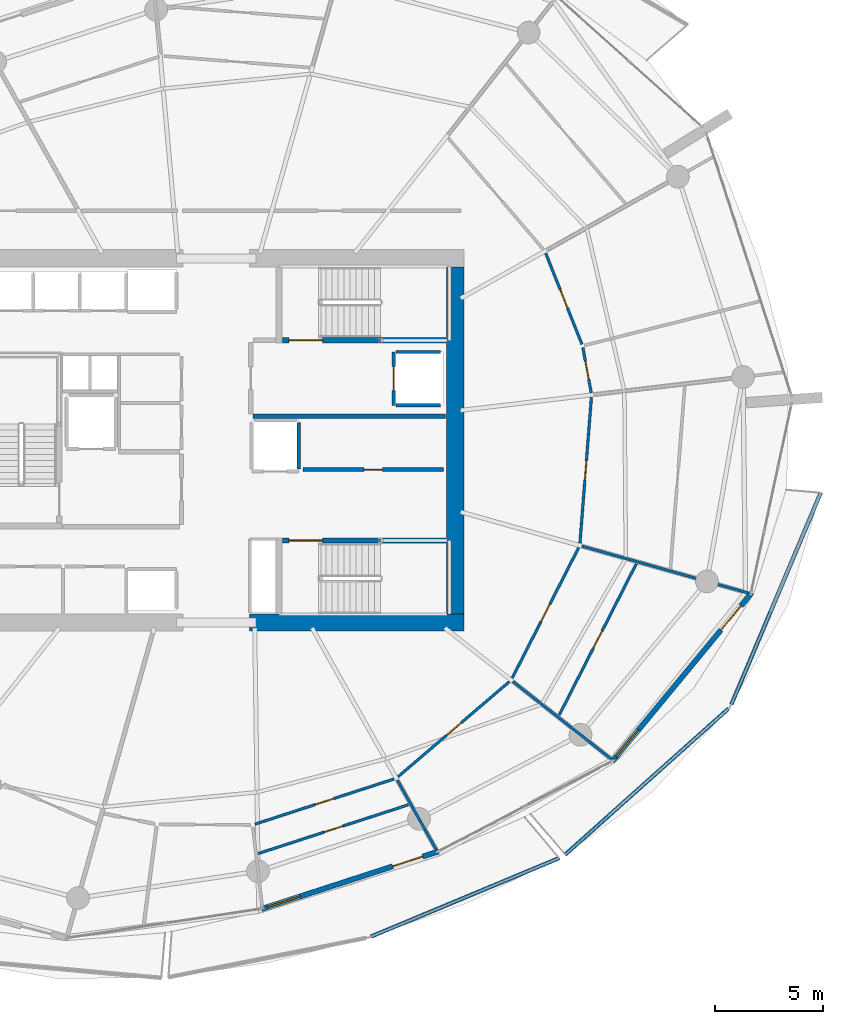
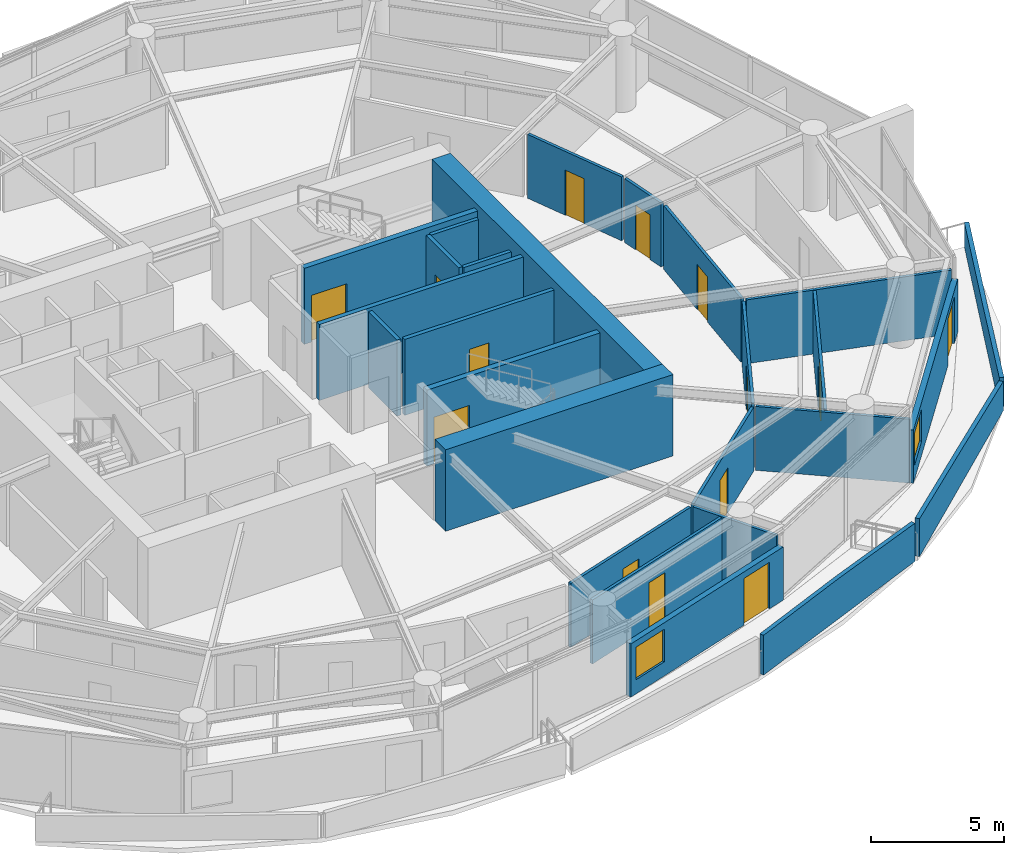
# One storey, part 13 of 20: 26 walls, 14 doors, 2 windows, 16 openings.
"""IFC4 building model written with IfcOpenShell, lengths in metres."""

from ifc_helpers import new_model, si_unit, direction, frame, frame_2d, origin, place, context, subcontext, project, spatial, polyline, rectangle, outline, extrude, material, layer, layer_set, type_object, element, fill, save


model = new_model("IFC4")

# Units and contexts
model_context = context("Model", 3, precision=1e-05, world=origin(), true_north=direction((0.0, 1.0)))
body_context = subcontext(model_context, "Body", "Model", "MODEL_VIEW")
ifc_project = project(units=[si_unit("LENGTHUNIT", "METRE"), si_unit("AREAUNIT", "SQUARE_METRE"), si_unit("VOLUMEUNIT", "CUBIC_METRE"), si_unit("PLANEANGLEUNIT", "RADIAN"), si_unit("MASSUNIT", "GRAM", prefix="KILO")], contexts=[model_context])

# Site, building, storey
site_placement = place(None, origin())
site = spatial("IfcSite", under=ifc_project, at=site_placement, CompositionType="ELEMENT")
building_placement = place(site_placement, origin())
building = spatial("IfcBuilding", under=site, at=building_placement, Name="Kazma Halo Residences", CompositionType="ELEMENT")
storey_placement = place(building_placement, frame((0.0, 0.0, 165.300048828125)))
storey = spatial("IfcBuildingStorey", under=building, at=storey_placement, Name="L41", CompositionType="ELEMENT", Elevation=165.300048828125)

# Walls
ifc_material_1 = material(Name="White Concrete C50/60 Balustrade", Category="concrete")
ifc_layer_1 = layer(ifc_material_1, 0.179931640625)
ifc_layer_set_1 = layer_set([ifc_layer_1], Name="White Concrete C50/60 Balustrade")
wall_type_1 = type_object("IfcWallType", Name="WL-BAL-WAVE-180", PredefinedType="PARAPET", material=ifc_layer_set_1)
wall_1_placement = place(storey_placement, frame((55.566650390625, 19.09912109375, 0.0), z_axis=(0.0, 0.0, 1.0), x_axis=(0.922918869306, 0.384994494349, 0.0)))
element("IfcWall", 1, at=wall_1_placement, inside=storey, type_object=wall_type_1, Name="L41 white wave balustrade wall SSE.2", PredefinedType="PARAPET", context=body_context, shape_type="SweptSolid", body=[
    extrude(outline(polyline([(0.0, 0.0), (9.4189453125, 0.0), (9.418701171875, 1.755859375), (4.70947265625, 1.85302734375), (0.0, 1.83203125), (0.0, 0.0)])), frame((0.0, 0.08984375, 0.0), z_axis=(0.0, -1.0, 0.0), x_axis=(1.0, 0.0, 0.0)), (0.0, 0.0, 1.0), 0.179931640625),
])
wall_2_placement = place(storey_placement, frame((64.52978515625, 22.8837890625, 0.0), z_axis=(0.0, 0.0, 1.0), x_axis=(0.745533944851, 0.666467656435, 0.0)))
element("IfcWall", 2, at=wall_2_placement, inside=storey, type_object=wall_type_1, Name="L41 white wave balustrade wall SE.1", PredefinedType="PARAPET", context=body_context, shape_type="SweptSolid", body=[
    extrude(outline(polyline([(0.0, 0.0), (10.10009765625, 0.0), (10.100341796875, 1.347900390625), (5.05029296875, 1.56201171875), (0.0, 1.7470703125), (0.0, 0.0)])), frame((0.0, 0.08984375, 0.0), z_axis=(0.0, -1.0, 0.0), x_axis=(1.0, 0.0, 0.0)), (0.0, 0.0, 1.0), 0.179931640625),
])
wall_3_placement = place(storey_placement, frame((72.196044921875, 29.805908203125, 0.0), z_axis=(0.0, 0.0, 1.0), x_axis=(0.388680391431, 0.921372646282, 0.0)))
element("IfcWall", 3, at=wall_3_placement, inside=storey, type_object=wall_type_1, Name="L41 white wave balustrade wall SE.2", PredefinedType="PARAPET", context=body_context, shape_type="SweptSolid", body=[
    extrude(outline(polyline([(0.0, 0.0), (10.6259765625, 0.0), (10.626220703125, 1.119873046875), (5.31298828125, 1.181884765625), (0.0, 1.347900390625), (0.0, 0.0)])), frame((0.0, 0.08984375, 0.0), z_axis=(0.0, -1.0, 0.0), x_axis=(1.0, 0.0, 0.0)), (0.0, 0.0, 1.0), 0.179931640625),
])
ifc_material_2 = material(Name="Concrete C80/95", Category="concrete")
ifc_layer_2 = layer(ifc_material_2, 0.800048828125)
ifc_layer_set_2 = layer_set([ifc_layer_2], Name="Concrete C80/95")
wall_type_2 = type_object("IfcWallType", Name="WL-CORE-800", PredefinedType="SHEAR", material=ifc_layer_set_2)
wall_4_placement = place(storey_placement, frame((49.949951171875, 33.60009765625, 0.0), z_axis=(0.0, 0.0, 1.0), x_axis=(1.0, 0.0, 0.0)))
element("IfcWall", 4, at=wall_4_placement, inside=storey, type_object=wall_type_2, Name="L41 central core shear wall SE", PredefinedType="SHEAR", context=body_context, shape_type="SweptSolid", body=[
    extrude(rectangle(XDim=9.900146484375, YDim=0.800048828125, at=frame_2d((4.9501953125, 0.0))), origin(), (0.0, 0.0, 1.0), 3.75),
])
wall_5_placement = place(storey_placement, frame((59.449951171875, 34.0, 0.0), z_axis=(0.0, 0.0, 1.0), x_axis=(0.0, 1.0, 0.0)))
element("IfcWall", 5, at=wall_5_placement, inside=storey, type_object=wall_type_2, Name="L41 central core shear wall E", PredefinedType="SHEAR", context=body_context, shape_type="SweptSolid", body=[
    extrude(rectangle(XDim=16.0, YDim=0.800048828125, at=frame_2d((8.0, 0.0))), origin(), (0.0, 0.0, 1.0), 3.75),
])

# Wall, openings, door, window
ifc_material_3 = material(Name="Insulated Pale-Metal Composite Wall")
ifc_layer_3 = layer(ifc_material_3, 0.239990234375)
ifc_layer_set_3 = layer_set([ifc_layer_3], Name="Insulated Pale-Metal Composite Wall")
wall_type_3 = type_object("IfcWallType", Name="WL-EXT-HOST-240", PredefinedType="SOLIDWALL", material=ifc_layer_set_3)
wall_6_placement = place(storey_placement, frame((50.510009765625, 20.375732421875, 0.0), z_axis=(0.0, 0.0, 1.0), x_axis=(0.951046390632, 0.309048156224, 0.0)))
wall_6 = element("IfcWall", 6, at=wall_6_placement, inside=storey, type_object=wall_type_3, Name="L41 exterior terrace-access wall B12", PredefinedType="SOLIDWALL", context=body_context, shape_type="SweptSolid", body=[
    extrude(rectangle(XDim=8.590087890625, YDim=0.239990234375, at=frame_2d((4.294921875, 0.0))), origin(), (0.0, 0.0, 1.0), 2.449951171875),
])
opening_1_placement = place(wall_6_placement, frame((6.370361328125, 0.0, 0.0)))
opening_1 = element("IfcOpeningElement", 7, at=opening_1_placement, cuts=wall_6, Name="Opening DTR-1600", PredefinedType="OPENING", context=body_context, shape_type="SweptSolid", body=[
    extrude(rectangle(XDim=1.449951171875, YDim=2.14990234375, at=frame_2d((0.72509765625, 1.074951171875))), frame((0.0, 0.1298828125, 0.0), z_axis=(0.0, -1.0, 0.0), x_axis=(1.0, 0.0, 0.0)), (0.0, 0.0, 1.0), 0.260009765625),
])
opening_2_placement = place(wall_6_placement, frame((0.280029296875, 0.0, 0.64990234375)))
opening_2 = element("IfcOpeningElement", 8, at=opening_2_placement, cuts=wall_6, Name="Opening W-1800", PredefinedType="OPENING", context=body_context, shape_type="SweptSolid", body=[
    extrude(rectangle(XDim=1.60009765625, YDim=1.5, at=frame_2d((0.800048828125, 0.75))), frame((0.0, 0.1298828125, 0.0), z_axis=(0.0, -1.0, 0.0), x_axis=(1.0, 0.0, 0.0)), (0.0, 0.0, 1.0), 0.260009765625),
])
ifc_material_4 = material(Name="Aluminium AW-6063 T6 Double-Glazed Terrace Door", Category="aluminium")
door_type_1 = type_object("IfcDoorType", Name="DR-EXT-TERR-1600", OperationType="NOTDEFINED", PredefinedType="DOOR", material=ifc_material_4)
door_1_placement = place(opening_1_placement, origin())
door_1 = element("IfcDoor", 9, at=door_1_placement, inside=storey, type_object=door_type_1, Name="L41 B12 balcony terrace door", OperationType="DOUBLE_DOOR_SLIDING", OverallHeight=2.14990234375, OverallWidth=1.449951171875, PredefinedType="DOOR", context=body_context, shape_type="SweptSolid", body=[
    extrude(rectangle(XDim=1.449951171875, YDim=2.14990234375, at=frame_2d((0.72509765625, 1.074951171875))), frame((0.0, 0.02490234375, 0.0), z_axis=(0.0, -1.0, 0.0), x_axis=(1.0, 0.0, 0.0)), (0.0, 0.0, 1.0), 0.050048828125),
])
fill(opening_1, door_1)
ifc_material_5 = material(Name="Clear Triple-Silver Low-E Glass in Aluminium AW-6063 T6 Frame", Category="aluminium")
window_type = type_object("IfcWindowType", Name="WIN-RES-1800", PartitioningType="DOUBLE_PANEL_VERTICAL", PredefinedType="WINDOW", material=ifc_material_5)
window_1_placement = place(opening_2_placement, origin())
window_1 = element("IfcWindow", 10, at=window_1_placement, inside=storey, type_object=window_type, Name="L41 B12 apartment window", OverallHeight=1.5, OverallWidth=1.60009765625, PartitioningType="SINGLE_PANEL", PredefinedType="WINDOW", context=body_context, shape_type="SweptSolid", body=[
    extrude(rectangle(XDim=1.60009765625, YDim=1.5, at=frame_2d((0.800048828125, 0.75))), frame((0.0, 0.030029296875, 0.0), z_axis=(0.0, -1.0, 0.0), x_axis=(1.0, 0.0, 0.0)), (0.0, 0.0, 1.0), 0.06005859375),
])
fill(opening_2, window_1)

wall_7_placement = place(storey_placement, frame((66.70947265625, 27.18701171875, 0.0), z_axis=(0.0, 0.0, 1.0), x_axis=(0.636771922292, 0.77105221547, 0.0)))
wall_7 = element("IfcWall", 11, at=wall_7_placement, inside=storey, type_object=wall_type_3, Name="L41 exterior terrace-access wall B14", PredefinedType="SOLIDWALL", context=body_context, shape_type="SweptSolid", body=[
    extrude(rectangle(XDim=10.08154296875, YDim=0.239990234375, at=frame_2d((5.040771484375, 0.0))), origin(), (0.0, 0.0, 1.0), 2.449951171875),
])
opening_3_placement = place(wall_7_placement, frame((7.861572265625, 0.0, 0.0)))
opening_3 = element("IfcOpeningElement", 12, at=opening_3_placement, cuts=wall_7, Name="Opening DTR-1600", PredefinedType="OPENING", context=body_context, shape_type="SweptSolid", body=[
    extrude(rectangle(XDim=1.449951171875, YDim=2.14990234375, at=frame_2d((0.72509765625, 1.074951171875))), frame((0.0, 0.1298828125, 0.0), z_axis=(0.0, -1.0, 0.0), x_axis=(1.0, 0.0, 0.0)), (0.0, 0.0, 1.0), 0.260009765625),
])
opening_4_placement = place(wall_7_placement, frame((0.280029296875, 0.0, 0.64990234375)))
opening_4 = element("IfcOpeningElement", 13, at=opening_4_placement, cuts=wall_7, Name="Opening W-1800", PredefinedType="OPENING", context=body_context, shape_type="SweptSolid", body=[
    extrude(rectangle(XDim=1.60009765625, YDim=1.5, at=frame_2d((0.800048828125, 0.75))), frame((0.0, 0.1298828125, 0.0), z_axis=(0.0, -1.0, 0.0), x_axis=(1.0, 0.0, 0.0)), (0.0, 0.0, 1.0), 0.260009765625),
])
door_2_placement = place(opening_3_placement, origin())
door_2 = element("IfcDoor", 14, at=door_2_placement, inside=storey, type_object=door_type_1, Name="L41 B14 balcony terrace door", OperationType="DOUBLE_DOOR_SLIDING", OverallHeight=2.14990234375, OverallWidth=1.449951171875, PredefinedType="DOOR", context=body_context, shape_type="SweptSolid", body=[
    extrude(rectangle(XDim=1.449951171875, YDim=2.14990234375, at=frame_2d((0.72509765625, 1.074951171875))), frame((0.0, 0.02490234375, 0.0), z_axis=(0.0, -1.0, 0.0), x_axis=(1.0, 0.0, 0.0)), (0.0, 0.0, 1.0), 0.050048828125),
])
fill(opening_3, door_2)
window_2_placement = place(opening_4_placement, origin())
window_2 = element("IfcWindow", 15, at=window_2_placement, inside=storey, type_object=window_type, Name="L41 B14 apartment window", OverallHeight=1.5, OverallWidth=1.60009765625, PartitioningType="SINGLE_PANEL", PredefinedType="WINDOW", context=body_context, shape_type="SweptSolid", body=[
    extrude(rectangle(XDim=1.60009765625, YDim=1.5, at=frame_2d((0.800048828125, 0.75))), frame((0.0, 0.030029296875, 0.0), z_axis=(0.0, -1.0, 0.0), x_axis=(1.0, 0.0, 0.0)), (0.0, 0.0, 1.0), 0.06005859375),
])
fill(opening_4, window_2)

# Wall, opening, door
ifc_material_6 = material(Name="Fire-Rated Blockwork Masonry", Category="masonry")
ifc_layer_4 = layer(ifc_material_6, 0.199951171875)
ifc_layer_set_4 = layer_set([ifc_layer_4], Name="Fire-Rated Blockwork Masonry")
wall_type_4 = type_object("IfcWallType", Name="WL-FLB-200", PredefinedType="PARTITIONING", material=ifc_layer_set_4)
wall_8_placement = place(storey_placement, frame((56.6201171875, 46.080078125, 0.0), z_axis=(0.0, 0.0, 1.0), x_axis=(0.0, -1.0, 0.0)))
wall_8 = element("IfcWall", 16, at=wall_8_placement, inside=storey, type_object=wall_type_4, Name="L41 lift shaft FL-02 front wall", PredefinedType="PARTITIONING", context=body_context, shape_type="SweptSolid", body=[
    extrude(rectangle(XDim=2.4599609375, YDim=0.159912109375, at=frame_2d((1.22998046875, 0.0))), origin(), (0.0, 0.0, 1.0), 3.5),
])
opening_5_placement = place(wall_8_placement, frame((0.679931640625, 0.0, 0.0)))
opening_5 = element("IfcOpeningElement", 17, at=opening_5_placement, cuts=wall_8, Name="Opening LD-FL-02", PredefinedType="OPENING", context=body_context, shape_type="SweptSolid", body=[
    extrude(rectangle(XDim=1.10009765625, YDim=2.10009765625, at=frame_2d((0.550048828125, 1.050048828125))), frame((0.0, 0.08984375, 0.0), z_axis=(0.0, -1.0, 0.0), x_axis=(1.0, 0.0, 0.0)), (0.0, 0.0, 1.0), 0.179931640625),
])
ifc_material_7 = material(Name="Stainless Steel Fire-Rated", Category="steel")
door_type_2 = type_object("IfcDoorType", Name="DR-LIFT-SLD-1100", OperationType="DOUBLE_DOOR_SLIDING", PredefinedType="DOOR", material=ifc_material_7)
door_3_placement = place(opening_5_placement, origin())
door_3 = element("IfcDoor", 18, at=door_3_placement, inside=storey, type_object=door_type_2, Name="L41 lift FL-02 sliding landing door", OperationType="DOUBLE_DOOR_SLIDING", OverallHeight=2.10009765625, OverallWidth=1.10009765625, PredefinedType="DOOR", context=body_context, shape_type="SweptSolid", body=[
    extrude(rectangle(XDim=1.10009765625, YDim=2.10009765625, at=frame_2d((0.550048828125, 1.050048828125))), frame((0.0, 0.02490234375, 0.0), z_axis=(0.0, -1.0, 0.0), x_axis=(1.0, 0.0, 0.0)), (0.0, 0.0, 1.0), 0.050048828125),
])
fill(opening_5, door_3)

# Walls
for number, where, z_axis, x_axis, name in (
    (19, (56.719970703125, 46.080078125, 0.0), (0.0, 0.0, 1.0), (1.0, 0.0, 0.0), "L41 lift shaft FL-02 side wall N"),
    (20, (56.719970703125, 43.6201171875, 0.0), (0.0, 0.0, 1.0), (1.0, 0.0, 0.0), "L41 lift shaft FL-02 side wall S"),
):
    element("IfcWall", number, at=place(storey_placement, frame(where, z_axis=z_axis, x_axis=x_axis)), inside=storey, type_object=wall_type_4, Name=name, PredefinedType="PARTITIONING", context=body_context, shape_type="SweptSolid", body=[
        extrude(rectangle(XDim=2.06005859375, YDim=0.159912109375, at=frame_2d((1.030029296875, 0.0))), origin(), (0.0, 0.0, 1.0), 3.5),
    ])
wall_9_placement = place(storey_placement, frame((52.22998046875, 40.669921875, 0.0), z_axis=(0.0, 0.0, 1.0), x_axis=(0.0, 1.0, 0.0)))
element("IfcWall", 21, at=wall_9_placement, inside=storey, type_object=wall_type_4, Name="L41 lift shaft SV-01 side wall E", PredefinedType="PARTITIONING", context=body_context, shape_type="SweptSolid", body=[
    extrude(rectangle(XDim=2.16015625, YDim=0.159912109375, at=frame_2d((1.080078125, 0.0))), origin(), (0.0, 0.0, 1.0), 3.5),
])

# Wall, opening, door
wall_10_placement = place(storey_placement, frame((52.419921875, 40.64990234375, 0.0), z_axis=(0.0, 0.0, 1.0), x_axis=(1.0, 0.0, 0.0)))
wall_10 = element("IfcWall", 22, at=wall_10_placement, inside=storey, type_object=wall_type_4, Name="L41 core east reserve wall", PredefinedType="PARTITIONING", context=body_context, shape_type="SweptSolid", body=[
    extrude(rectangle(XDim=6.5, YDim=0.179931640625, at=frame_2d((3.25, 0.0))), origin(), (0.0, 0.0, 1.0), 3.5),
])
opening_6_placement = place(wall_10_placement, frame((2.824951171875, 0.0, 0.0)))
opening_6 = element("IfcOpeningElement", 23, at=opening_6_placement, cuts=wall_10, Name="Opening DS-850", PredefinedType="OPENING", context=body_context, shape_type="SweptSolid", body=[
    extrude(rectangle(XDim=0.85009765625, YDim=2.06005859375, at=frame_2d((0.425048828125, 1.030029296875))), frame((0.0, 0.099853515625, 0.0), z_axis=(0.0, -1.0, 0.0), x_axis=(1.0, 0.0, 0.0)), (0.0, 0.0, 1.0), 0.199951171875),
])
ifc_material_8 = material(Name="Painted Steel Access Leaf", Category="steel")
door_type_3 = type_object("IfcDoorType", Name="DR-SVC-850", OperationType="NOTDEFINED", PredefinedType="DOOR", material=ifc_material_8)
door_4_placement = place(opening_6_placement, origin())
door_4 = element("IfcDoor", 24, at=door_4_placement, inside=storey, type_object=door_type_3, Name="L41 core east reserve door", OperationType="SINGLE_SWING_RIGHT", OverallHeight=2.06005859375, OverallWidth=0.85009765625, PredefinedType="DOOR", context=body_context, shape_type="SweptSolid", body=[
    extrude(rectangle(XDim=0.85009765625, YDim=2.06005859375, at=frame_2d((0.425048828125, 1.030029296875))), frame((0.0, 0.02490234375, 0.0), z_axis=(0.0, -1.0, 0.0), x_axis=(1.0, 0.0, 0.0)), (0.0, 0.0, 1.0), 0.050048828125),
])
fill(opening_6, door_4)

# Wall
wall_11_placement = place(storey_placement, frame((50.1201171875, 43.1201171875, 0.0), z_axis=(0.0, 0.0, 1.0), x_axis=(1.0, 0.0, 0.0)))
element("IfcWall", 25, at=wall_11_placement, inside=storey, type_object=wall_type_4, Name="L41 east firefighting lobby south smoke wall", PredefinedType="PARTITIONING", context=body_context, shape_type="SweptSolid", body=[
    extrude(rectangle(XDim=8.8798828125, YDim=0.199951171875, at=frame_2d((4.43994140625, 0.0))), origin(), (0.0, 0.0, 1.0), 3.5),
])

# Wall, opening, door
ifc_material_9 = material(Name="Gypsum Plasterboard Partition")
ifc_layer_5 = layer(ifc_material_9, 0.125)
ifc_layer_set_5 = layer_set([ifc_layer_5], Name="Gypsum Plasterboard Partition")
wall_type_5 = type_object("IfcWallType", Name="WL-PART-125", PredefinedType="PARTITIONING", material=ifc_layer_set_5)
wall_12_placement = place(storey_placement, frame((50.205078125, 24.287841796875, 0.0), z_axis=(0.0, 0.0, 1.0), x_axis=(0.951056650279, 0.309016582016, 0.0)))
wall_12 = element("IfcWall", 26, at=wall_12_placement, inside=storey, type_object=wall_type_5, Name="L41 Apartment 2 East Study hall wall", PredefinedType="PARTITIONING", context=body_context, shape_type="SweptSolid", body=[
    extrude(rectangle(XDim=6.752685546875, YDim=0.125, at=frame_2d((3.37646484375, 0.0))), origin(), (0.0, 0.0, 1.0), 2.93994140625),
])
opening_7_placement = place(wall_12_placement, frame((2.92626953125, 0.0, 0.0)))
opening_7 = element("IfcOpeningElement", 27, at=opening_7_placement, cuts=wall_12, Name="Opening DI-950", PredefinedType="OPENING", context=body_context, shape_type="SweptSolid", body=[
    extrude(rectangle(XDim=0.89990234375, YDim=2.080078125, at=frame_2d((0.449951171875, 1.0400390625))), frame((0.0, 0.072509765625, 0.0), z_axis=(0.0, -1.0, 0.0), x_axis=(1.0, 0.0, 0.0)), (0.0, 0.0, 1.0), 0.14501953125),
])
ifc_material_10 = material(Name="Timber Veneer Flush Leaf", Category="wood")
door_type_4 = type_object("IfcDoorType", Name="DR-INT-950", OperationType="NOTDEFINED", PredefinedType="DOOR", material=ifc_material_10)
door_5_placement = place(opening_7_placement, origin())
door_5 = element("IfcDoor", 28, at=door_5_placement, inside=storey, type_object=door_type_4, Name="L41 Apartment 2 East Study door", OperationType="SINGLE_SWING_LEFT", OverallHeight=2.080078125, OverallWidth=0.89990234375, PredefinedType="DOOR", context=body_context, shape_type="SweptSolid", body=[
    extrude(rectangle(XDim=0.89990234375, YDim=2.080078125, at=frame_2d((0.449951171875, 1.0400390625))), frame((0.0, 0.02490234375, 0.0), z_axis=(0.0, -1.0, 0.0), x_axis=(1.0, 0.0, 0.0)), (0.0, 0.0, 1.0), 0.050048828125),
])
fill(opening_7, door_5)

wall_13_placement = place(storey_placement, frame((50.365234375, 22.934326171875, 0.0), z_axis=(0.0, 0.0, 1.0), x_axis=(0.951058941496, 0.309009530274, 0.0)))
wall_13 = element("IfcWall", 29, at=wall_13_placement, inside=storey, type_object=wall_type_5, Name="L41 Apartment 2 West Bedroom divider wall", PredefinedType="PARTITIONING", context=body_context, shape_type="SweptSolid", body=[
    extrude(rectangle(XDim=7.284423828125, YDim=0.125, at=frame_2d((3.64208984375, 0.0))), origin(), (0.0, 0.0, 1.0), 2.93994140625),
])
opening_8_placement = place(wall_13_placement, frame((3.192138671875, 0.0, 0.0)))
opening_8 = element("IfcOpeningElement", 30, at=opening_8_placement, cuts=wall_13, Name="Opening DI-950", PredefinedType="OPENING", context=body_context, shape_type="SweptSolid", body=[
    extrude(rectangle(XDim=0.89990234375, YDim=2.080078125, at=frame_2d((0.449951171875, 1.0400390625))), frame((0.0, 0.072509765625, 0.0), z_axis=(0.0, -1.0, 0.0), x_axis=(1.0, 0.0, 0.0)), (0.0, 0.0, 1.0), 0.14501953125),
])
door_6_placement = place(opening_8_placement, origin())
door_6 = element("IfcDoor", 31, at=door_6_placement, inside=storey, type_object=door_type_4, Name="L41 Apartment 2 West Bedroom door", OperationType="SINGLE_SWING_RIGHT", OverallHeight=2.080078125, OverallWidth=0.89990234375, PredefinedType="DOOR", context=body_context, shape_type="SweptSolid", body=[
    extrude(rectangle(XDim=0.89990234375, YDim=2.080078125, at=frame_2d((0.449951171875, 1.0400390625))), frame((0.0, 0.02490234375, 0.0), z_axis=(0.0, -1.0, 0.0), x_axis=(1.0, 0.0, 0.0)), (0.0, 0.0, 1.0), 0.050048828125),
])
fill(opening_8, door_6)

# Wall
wall_14_placement = place(storey_placement, frame((56.780517578125, 26.3212890625, 0.0), z_axis=(0.0, 0.0, 1.0), x_axis=(0.488615541235, -0.872499199348, 0.0)))
element("IfcWall", 32, at=wall_14_placement, inside=storey, type_object=wall_type_5, Name="L41 Apartment 2 radial partition 12", PredefinedType="PARTITIONING", context=body_context, shape_type="SweptSolid", body=[
    extrude(rectangle(XDim=3.66455078125, YDim=0.125, at=frame_2d((1.832275390625, 0.0))), origin(), (0.0, 0.0, 1.0), 2.93994140625),
])

# Wall, opening, door
wall_15_placement = place(storey_placement, frame((56.815185546875, 26.47998046875, 0.0), z_axis=(0.0, 0.0, 1.0), x_axis=(0.760406411553, 0.649447526186, 0.0)))
wall_15 = element("IfcWall", 33, at=wall_15_placement, inside=storey, type_object=wall_type_5, Name="L41 Apartment 2 North Formal Dining Room gallery wall", PredefinedType="PARTITIONING", context=body_context, shape_type="SweptSolid", body=[
    extrude(rectangle(XDim=6.752685546875, YDim=0.125, at=frame_2d((3.37646484375, 0.0))), origin(), (0.0, 0.0, 1.0), 2.93994140625),
])
opening_9_placement = place(wall_15_placement, frame((2.92626953125, 0.0, 0.0)))
opening_9 = element("IfcOpeningElement", 34, at=opening_9_placement, cuts=wall_15, Name="Opening DI-950", PredefinedType="OPENING", context=body_context, shape_type="SweptSolid", body=[
    extrude(rectangle(XDim=0.89990234375, YDim=2.080078125, at=frame_2d((0.449951171875, 1.0400390625))), frame((0.0, 0.072509765625, 0.0), z_axis=(0.0, -1.0, 0.0), x_axis=(1.0, 0.0, 0.0)), (0.0, 0.0, 1.0), 0.14501953125),
])
door_7_placement = place(opening_9_placement, origin())
door_7 = element("IfcDoor", 35, at=door_7_placement, inside=storey, type_object=door_type_4, Name="L41 Apartment 2 North Formal Dining Room door", OperationType="SINGLE_SWING_RIGHT", OverallHeight=2.080078125, OverallWidth=0.89990234375, PredefinedType="DOOR", context=body_context, shape_type="SweptSolid", body=[
    extrude(rectangle(XDim=0.89990234375, YDim=2.080078125, at=frame_2d((0.449951171875, 1.0400390625))), frame((0.0, 0.02490234375, 0.0), z_axis=(0.0, -1.0, 0.0), x_axis=(1.0, 0.0, 0.0)), (0.0, 0.0, 1.0), 0.050048828125),
])
fill(opening_9, door_7)

# Wall
wall_16_placement = place(storey_placement, frame((62.112060546875, 30.875, 0.0), z_axis=(0.0, 0.0, 1.0), x_axis=(0.785328664081, -0.619079065526, 0.0)))
element("IfcWall", 36, at=wall_16_placement, inside=storey, type_object=wall_type_5, Name="L41 Apartment 2 radial partition 13", PredefinedType="PARTITIONING", context=body_context, shape_type="SweptSolid", body=[
    extrude(rectangle(XDim=5.86962890625, YDim=0.125, at=frame_2d((2.934814453125, 0.0))), origin(), (0.0, 0.0, 1.0), 2.93994140625),
])

# Wall, opening, door
wall_17_placement = place(storey_placement, frame((62.08349609375, 31.034912109375, 0.0), z_axis=(0.0, 0.0, 1.0), x_axis=(0.453997813939, 0.89100279738, 0.0)))
wall_17 = element("IfcWall", 37, at=wall_17_placement, inside=storey, type_object=wall_type_5, Name="L41 Apartment 2 South Study hall wall", PredefinedType="PARTITIONING", context=body_context, shape_type="SweptSolid", body=[
    extrude(rectangle(XDim=6.752685546875, YDim=0.125, at=frame_2d((3.37646484375, 0.0))), origin(), (0.0, 0.0, 1.0), 2.93994140625),
])
opening_10_placement = place(wall_17_placement, frame((2.92626953125, 0.0, 0.0)))
opening_10 = element("IfcOpeningElement", 38, at=opening_10_placement, cuts=wall_17, Name="Opening DI-950", PredefinedType="OPENING", context=body_context, shape_type="SweptSolid", body=[
    extrude(rectangle(XDim=0.89990234375, YDim=2.080078125, at=frame_2d((0.449951171875, 1.0400390625))), frame((0.0, 0.072509765625, 0.0), z_axis=(0.0, -1.0, 0.0), x_axis=(1.0, 0.0, 0.0)), (0.0, 0.0, 1.0), 0.14501953125),
])
door_8_placement = place(opening_10_placement, origin())
door_8 = element("IfcDoor", 39, at=door_8_placement, inside=storey, type_object=door_type_4, Name="L41 Apartment 2 South Study door", OperationType="SINGLE_SWING_LEFT", OverallHeight=2.080078125, OverallWidth=0.89990234375, PredefinedType="DOOR", context=body_context, shape_type="SweptSolid", body=[
    extrude(rectangle(XDim=0.89990234375, YDim=2.080078125, at=frame_2d((0.449951171875, 1.0400390625))), frame((0.0, 0.02490234375, 0.0), z_axis=(0.0, -1.0, 0.0), x_axis=(1.0, 0.0, 0.0)), (0.0, 0.0, 1.0), 0.050048828125),
])
fill(opening_10, door_8)

wall_18_placement = place(storey_placement, frame((64.252685546875, 29.324951171875, 0.0), z_axis=(0.0, 0.0, 1.0), x_axis=(0.454010321108, 0.890996424419, 0.0)))
wall_18 = element("IfcWall", 40, at=wall_18_placement, inside=storey, type_object=wall_type_5, Name="L41 Apartment 2 Inner Master Bedroom divider wall", PredefinedType="PARTITIONING", context=body_context, shape_type="SweptSolid", body=[
    extrude(rectangle(XDim=7.830078125, YDim=0.125, at=frame_2d((3.9150390625, 0.0))), origin(), (0.0, 0.0, 1.0), 2.93994140625),
])
opening_11_placement = place(wall_18_placement, frame((3.465087890625, 0.0, 0.0)))
opening_11 = element("IfcOpeningElement", 41, at=opening_11_placement, cuts=wall_18, Name="Opening DI-950", PredefinedType="OPENING", context=body_context, shape_type="SweptSolid", body=[
    extrude(rectangle(XDim=0.89990234375, YDim=2.080078125, at=frame_2d((0.449951171875, 1.0400390625))), frame((0.0, 0.072509765625, 0.0), z_axis=(0.0, -1.0, 0.0), x_axis=(1.0, 0.0, 0.0)), (0.0, 0.0, 1.0), 0.14501953125),
])
door_9_placement = place(opening_11_placement, origin())
door_9 = element("IfcDoor", 42, at=door_9_placement, inside=storey, type_object=door_type_4, Name="L41 Apartment 2 Inner Master Bedroom door", OperationType="SINGLE_SWING_RIGHT", OverallHeight=2.080078125, OverallWidth=0.89990234375, PredefinedType="DOOR", context=body_context, shape_type="SweptSolid", body=[
    extrude(rectangle(XDim=0.89990234375, YDim=2.080078125, at=frame_2d((0.449951171875, 1.0400390625))), frame((0.0, 0.02490234375, 0.0), z_axis=(0.0, -1.0, 0.0), x_axis=(1.0, 0.0, 0.0)), (0.0, 0.0, 1.0), 0.050048828125),
])
fill(opening_11, door_9)

# Wall
wall_19_placement = place(storey_placement, frame((65.29541015625, 37.122314453125, 0.0), z_axis=(0.0, 0.0, 1.0), x_axis=(0.962453364466, -0.271447087346, 0.0)))
element("IfcWall", 43, at=wall_19_placement, inside=storey, type_object=wall_type_5, Name="L41 Apartment 2 radial partition 14", PredefinedType="PARTITIONING", context=body_context, shape_type="SweptSolid", body=[
    extrude(rectangle(XDim=7.981201171875, YDim=0.125, at=frame_2d((3.99072265625, 0.0))), origin(), (0.0, 0.0, 1.0), 2.93994140625),
])

# Wall, opening, door
wall_20_placement = place(storey_placement, frame((65.207763671875, 37.259033203125, 0.0), z_axis=(0.0, 0.0, 1.0), x_axis=(0.078457580711, 0.996917452966, 0.0)))
wall_20 = element("IfcWall", 44, at=wall_20_placement, inside=storey, type_object=wall_type_5, Name="L41 Apartment 2 Outer Study hall wall", PredefinedType="PARTITIONING", context=body_context, shape_type="SweptSolid", body=[
    extrude(rectangle(XDim=6.75244140625, YDim=0.125, at=frame_2d((3.376220703125, 0.0))), origin(), (0.0, 0.0, 1.0), 2.93994140625),
])
opening_12_placement = place(wall_20_placement, frame((2.92626953125, 0.0, 0.0)))
opening_12 = element("IfcOpeningElement", 45, at=opening_12_placement, cuts=wall_20, Name="Opening DI-950", PredefinedType="OPENING", context=body_context, shape_type="SweptSolid", body=[
    extrude(rectangle(XDim=0.89990234375, YDim=2.080078125, at=frame_2d((0.449951171875, 1.0400390625))), frame((0.0, 0.072509765625, 0.0), z_axis=(0.0, -1.0, 0.0), x_axis=(1.0, 0.0, 0.0)), (0.0, 0.0, 1.0), 0.14501953125),
])
door_10_placement = place(opening_12_placement, origin())
door_10 = element("IfcDoor", 46, at=door_10_placement, inside=storey, type_object=door_type_4, Name="L41 Apartment 2 Outer Study door", OperationType="SINGLE_SWING_RIGHT", OverallHeight=2.080078125, OverallWidth=0.89990234375, PredefinedType="DOOR", context=body_context, shape_type="SweptSolid", body=[
    extrude(rectangle(XDim=0.89990234375, YDim=2.080078125, at=frame_2d((0.449951171875, 1.0400390625))), frame((0.0, 0.02490234375, 0.0), z_axis=(0.0, -1.0, 0.0), x_axis=(1.0, 0.0, 0.0)), (0.0, 0.0, 1.0), 0.050048828125),
])
fill(opening_12, door_10)

wall_21_placement = place(storey_placement, frame((65.72802734375, 44.19873046875, 0.0), z_axis=(0.0, 0.0, 1.0), x_axis=(-0.181256219824, 0.983435906796, 0.0)))
wall_21 = element("IfcWall", 47, at=wall_21_placement, inside=storey, type_object=wall_type_5, Name="L41 Apartment 2 Garden Wine Pantry Store hall wall", PredefinedType="PARTITIONING", context=body_context, shape_type="SweptSolid", body=[
    extrude(rectangle(XDim=2.1201171875, YDim=0.125, at=frame_2d((1.06005859375, 0.0))), origin(), (0.0, 0.0, 1.0), 2.93994140625),
])
opening_13_placement = place(wall_21_placement, frame((0.635009765625, 0.0, 0.0)))
opening_13 = element("IfcOpeningElement", 48, at=opening_13_placement, cuts=wall_21, Name="Opening DB-900", PredefinedType="OPENING", context=body_context, shape_type="SweptSolid", body=[
    extrude(rectangle(XDim=0.85009765625, YDim=2.06005859375, at=frame_2d((0.425048828125, 1.030029296875))), frame((0.0, 0.072509765625, 0.0), z_axis=(0.0, -1.0, 0.0), x_axis=(1.0, 0.0, 0.0)), (0.0, 0.0, 1.0), 0.14501953125),
])
ifc_material_11 = material(Name="Moisture-Sealed Timber Leaf", Category="wood")
door_type_5 = type_object("IfcDoorType", Name="DR-BTH-900", OperationType="NOTDEFINED", PredefinedType="DOOR", material=ifc_material_11)
door_11_placement = place(opening_13_placement, origin())
door_11 = element("IfcDoor", 49, at=door_11_placement, inside=storey, type_object=door_type_5, Name="L41 Apartment 2 Garden Wine Pantry Store door", OperationType="SINGLE_SWING_LEFT", OverallHeight=2.06005859375, OverallWidth=0.85009765625, PredefinedType="DOOR", context=body_context, shape_type="SweptSolid", body=[
    extrude(rectangle(XDim=0.85009765625, YDim=2.06005859375, at=frame_2d((0.425048828125, 1.030029296875))), frame((0.0, 0.02490234375, 0.0), z_axis=(0.0, -1.0, 0.0), x_axis=(1.0, 0.0, 0.0)), (0.0, 0.0, 1.0), 0.050048828125),
])
fill(opening_13, door_11)

wall_22_placement = place(storey_placement, frame((65.2998046875, 46.436767578125, 0.0), z_axis=(0.0, 0.0, 1.0), x_axis=(-0.369584254435, 0.929197222808, 0.0)))
wall_22 = element("IfcWall", 50, at=wall_22_placement, inside=storey, type_object=wall_type_5, Name="L41 Apartment 2 Sky Formal Dining Room hall wall", PredefinedType="PARTITIONING", context=body_context, shape_type="SweptSolid", body=[
    extrude(rectangle(XDim=4.5224609375, YDim=0.125, at=frame_2d((2.26123046875, 0.0))), origin(), (0.0, 0.0, 1.0), 2.93994140625),
])
opening_14_placement = place(wall_22_placement, frame((1.81103515625, 0.0, 0.0)))
opening_14 = element("IfcOpeningElement", 51, at=opening_14_placement, cuts=wall_22, Name="Opening DI-950", PredefinedType="OPENING", context=body_context, shape_type="SweptSolid", body=[
    extrude(rectangle(XDim=0.89990234375, YDim=2.080078125, at=frame_2d((0.449951171875, 1.0400390625))), frame((0.0, 0.072509765625, 0.0), z_axis=(0.0, -1.0, 0.0), x_axis=(1.0, 0.0, 0.0)), (0.0, 0.0, 1.0), 0.14501953125),
])
door_12_placement = place(opening_14_placement, origin())
door_12 = element("IfcDoor", 52, at=door_12_placement, inside=storey, type_object=door_type_4, Name="L41 Apartment 2 Sky Formal Dining Room door", OperationType="SINGLE_SWING_RIGHT", OverallHeight=2.080078125, OverallWidth=0.89990234375, PredefinedType="DOOR", context=body_context, shape_type="SweptSolid", body=[
    extrude(rectangle(XDim=0.89990234375, YDim=2.080078125, at=frame_2d((0.449951171875, 1.0400390625))), frame((0.0, 0.02490234375, 0.0), z_axis=(0.0, -1.0, 0.0), x_axis=(1.0, 0.0, 0.0)), (0.0, 0.0, 1.0), 0.050048828125),
])
fill(opening_14, door_12)

ifc_material_12 = material(Name="Concrete C50/60", Category="concrete")
ifc_layer_6 = layer(ifc_material_12, 0.25)
ifc_layer_set_6 = layer_set([ifc_layer_6], Name="Concrete C50/60")
wall_type_6 = type_object("IfcWallType", Name="WL-SHF-250", PredefinedType="SOLIDWALL", material=ifc_layer_set_6)
wall_23_placement = place(storey_placement, frame((51.47998046875, 46.6201171875, 0.0), z_axis=(0.0, 0.0, 1.0), x_axis=(1.0, 0.0, 0.0)))
wall_23 = element("IfcWall", 53, at=wall_23_placement, inside=storey, type_object=wall_type_6, Name="L41 exit stair ST-02 enclosure wall", PredefinedType="SOLIDWALL", context=body_context, shape_type="SweptSolid", body=[
    extrude(rectangle(XDim=7.5400390625, YDim=0.25, at=frame_2d((3.77001953125, 0.0))), origin(), (0.0, 0.0, 1.0), 3.5),
])
opening_15_placement = place(wall_23_placement, frame((0.300048828125, 0.0, 0.0)))
opening_15 = element("IfcOpeningElement", 54, at=opening_15_placement, cuts=wall_23, Name="Opening D-ST2", PredefinedType="OPENING", context=body_context, shape_type="SweptSolid", body=[
    extrude(rectangle(XDim=1.550048828125, YDim=2.14990234375, at=frame_2d((0.77490234375, 1.074951171875))), frame((0.0, 0.135009765625, 0.0), z_axis=(0.0, -1.0, 0.0), x_axis=(1.0, 0.0, 0.0)), (0.0, 0.0, 1.0), 0.27001953125),
])
ifc_material_13 = material(Name="Fire-Rated Double Steel Leaf", Category="steel")
door_type_6 = type_object("IfcDoorType", Name="DR-FD90-1550", OperationType="NOTDEFINED", PredefinedType="DOOR", material=ifc_material_13)
door_13_placement = place(opening_15_placement, origin())
door_13 = element("IfcDoor", 55, at=door_13_placement, inside=storey, type_object=door_type_6, Name="L41 exit stair ST-02 fire door", OperationType="DOUBLE_DOOR_SINGLE_SWING", OverallHeight=2.14990234375, OverallWidth=1.550048828125, PredefinedType="DOOR", context=body_context, shape_type="SweptSolid", body=[
    extrude(rectangle(XDim=1.550048828125, YDim=2.14990234375, at=frame_2d((0.77490234375, 1.074951171875))), frame((0.0, 0.02490234375, 0.0), z_axis=(0.0, -1.0, 0.0), x_axis=(1.0, 0.0, 0.0)), (0.0, 0.0, 1.0), 0.050048828125),
])
fill(opening_15, door_13)

wall_24_placement = place(storey_placement, frame((51.47998046875, 37.3798828125, 0.0), z_axis=(0.0, 0.0, 1.0), x_axis=(1.0, 0.0, 0.0)))
wall_24 = element("IfcWall", 56, at=wall_24_placement, inside=storey, type_object=wall_type_6, Name="L41 exit stair ST-03 enclosure wall", PredefinedType="SOLIDWALL", context=body_context, shape_type="SweptSolid", body=[
    extrude(rectangle(XDim=7.5400390625, YDim=0.25, at=frame_2d((3.77001953125, 0.0))), origin(), (0.0, 0.0, 1.0), 3.5),
])
opening_16_placement = place(wall_24_placement, frame((0.300048828125, 0.0, 0.0)))
opening_16 = element("IfcOpeningElement", 57, at=opening_16_placement, cuts=wall_24, Name="Opening D-ST3", PredefinedType="OPENING", context=body_context, shape_type="SweptSolid", body=[
    extrude(rectangle(XDim=1.550048828125, YDim=2.14990234375, at=frame_2d((0.77490234375, 1.074951171875))), frame((0.0, 0.135009765625, 0.0), z_axis=(0.0, -1.0, 0.0), x_axis=(1.0, 0.0, 0.0)), (0.0, 0.0, 1.0), 0.27001953125),
])
door_14_placement = place(opening_16_placement, origin())
door_14 = element("IfcDoor", 58, at=door_14_placement, inside=storey, type_object=door_type_6, Name="L41 exit stair ST-03 fire door", OperationType="DOUBLE_DOOR_SINGLE_SWING", OverallHeight=2.14990234375, OverallWidth=1.550048828125, PredefinedType="DOOR", context=body_context, shape_type="SweptSolid", body=[
    extrude(rectangle(XDim=1.550048828125, YDim=2.14990234375, at=frame_2d((0.77490234375, 1.074951171875))), frame((0.0, 0.02490234375, 0.0), z_axis=(0.0, -1.0, 0.0), x_axis=(1.0, 0.0, 0.0)), (0.0, 0.0, 1.0), 0.050048828125),
])
fill(opening_16, door_14)

save(model, "model.ifc")
